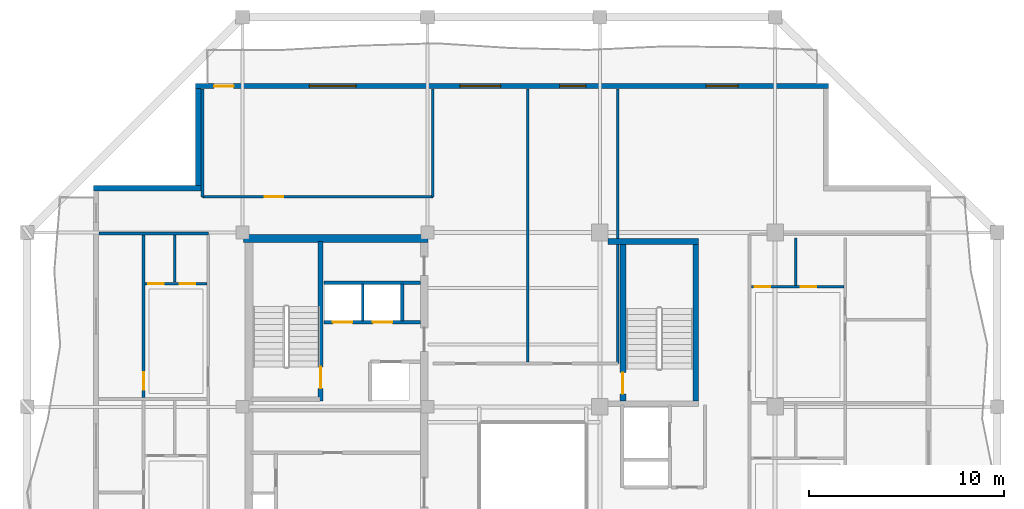
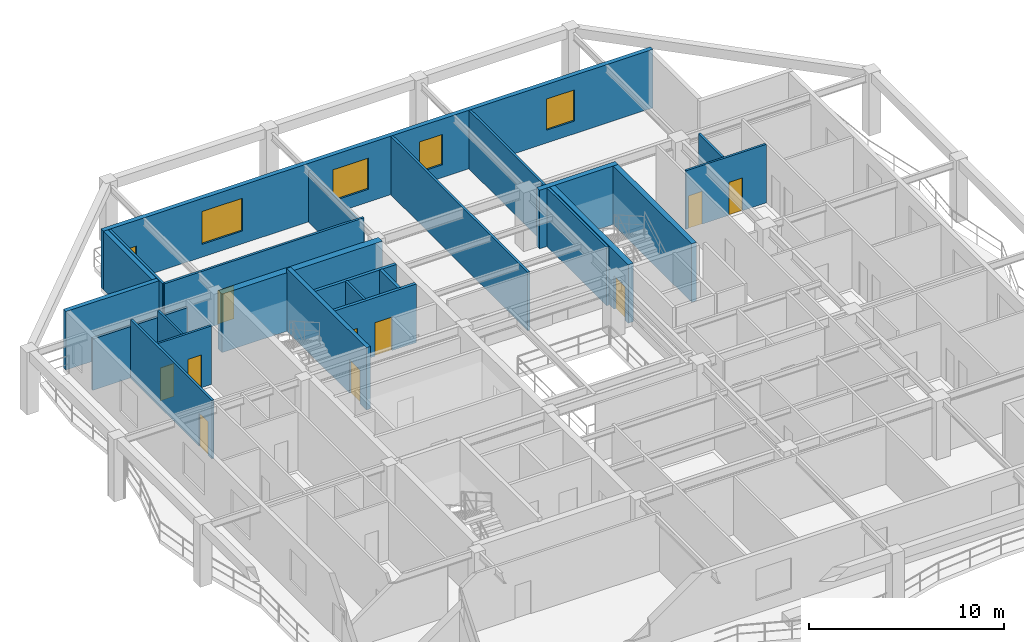
# One storey, part 6 of 12: 23 walls, 11 doors, 4 windows, 15 openings.
"""IFC4 building model written with IfcOpenShell, lengths in metres."""

from ifc_helpers import new_model, si_unit, direction, frame, frame_2d, origin, place, context, subcontext, project, spatial, rectangle, extrude, material, layer, layer_set, type_object, element, fill, save


model = new_model("IFC4")

# Units and contexts
model_context = context("Model", 3, precision=1e-05, world=origin(), true_north=direction((0.0, 1.0)))
body_context = subcontext(model_context, "Body", "Model", "MODEL_VIEW")
ifc_project = project(units=[si_unit("LENGTHUNIT", "METRE"), si_unit("AREAUNIT", "SQUARE_METRE"), si_unit("VOLUMEUNIT", "CUBIC_METRE"), si_unit("PLANEANGLEUNIT", "RADIAN"), si_unit("MASSUNIT", "GRAM", prefix="KILO")], contexts=[model_context])

# Site, building, storey
site_placement = place(None, origin())
site = spatial("IfcSite", under=ifc_project, at=site_placement, CompositionType="ELEMENT")
building_placement = place(site_placement, origin())
building = spatial("IfcBuilding", under=site, at=building_placement, Name="Kundavana Baori Tower", CompositionType="ELEMENT")
storey_placement = place(building_placement, frame((0.0, 0.0, 233.60009765625)))
storey = spatial("IfcBuildingStorey", under=building, at=storey_placement, Name="L57", CompositionType="ELEMENT", Elevation=233.60009765625)

# Wall
ifc_material_1 = material(Name="Concrete C50/60", Category="concrete")
ifc_layer_1 = layer(ifc_material_1, 0.39990234375, Name="WL-CORE-400")
ifc_layer_set_1 = layer_set([ifc_layer_1], Name="Concrete C50/60")
wall_type_1 = type_object("IfcWallType", Name="WL-CORE-400", PredefinedType="SHEAR", material=ifc_layer_set_1)
wall_1_placement = place(storey_placement, frame((15.5, 41.639892578125, 0.0), z_axis=(0.0, 0.0, 1.0), x_axis=(1.0, 0.0, 0.0)))
element("IfcWall", 1, at=wall_1_placement, inside=storey, type_object=wall_type_1, Name="L57 Offset Core North Shear Wall", PredefinedType="SHEAR", context=body_context, shape_type="SweptSolid", body=[
    extrude(rectangle(XDim=9.47998046875, YDim=0.39990234375, at=frame_2d((4.739990234375, 0.0))), origin(), (0.0, 0.0, 1.0), 3.659912109375),
])

# Wall, opening, door
wall_2_placement = place(storey_placement, frame((19.4599609375, 33.300048828125, 0.0), z_axis=(0.0, 0.0, 1.0), x_axis=(0.0, 1.0, 0.0)))
wall_2 = element("IfcWall", 2, at=wall_2_placement, inside=storey, type_object=wall_type_1, Name="WL-L57-ST2-E", PredefinedType="SHEAR", context=body_context, shape_type="SweptSolid", body=[
    extrude(rectangle(XDim=8.179931640625, YDim=0.239990234375, at=frame_2d((4.08984375, 0.0))), origin(), (0.0, 0.0, 1.0), 3.89990234375),
])
opening_1_placement = place(wall_2_placement, frame((0.64990234375, 0.0, 0.0)))
opening_1 = element("IfcOpeningElement", 3, at=opening_1_placement, cuts=wall_2, Name="Opening FD-110", PredefinedType="OPENING", context=body_context, shape_type="SweptSolid", body=[
    extrude(rectangle(XDim=1.10009765625, YDim=2.10009765625, at=frame_2d((0.550048828125, 1.050048828125))), frame((0.0, 0.1298828125, 0.0), z_axis=(0.0, -1.0, 0.0), x_axis=(1.0, 0.0, 0.0)), (0.0, 0.0, 1.0), 0.260009765625),
])
ifc_material_2 = material(Name="Galvanised Steel Fire-Rated Door Leaf", Category="steel")
door_type_1 = type_object("IfcDoorType", Name="DR-FD120-1100", OperationType="NOTDEFINED", PredefinedType="DOOR", material=ifc_material_2)
door_1_placement = place(opening_1_placement, origin())
door_1 = element("IfcDoor", 4, at=door_1_placement, inside=storey, type_object=door_type_1, Name="DR-L57-ST2", OperationType="SINGLE_SWING_RIGHT", OverallHeight=2.10009765625, OverallWidth=1.10009765625, PredefinedType="DOOR", context=body_context, shape_type="SweptSolid", body=[
    extrude(rectangle(XDim=1.10009765625, YDim=2.10009765625, at=frame_2d((0.550048828125, 1.050048828125))), frame((0.0, 0.02490234375, 0.0), z_axis=(0.0, -1.0, 0.0), x_axis=(1.0, 0.0, 0.0)), (0.0, 0.0, 1.0), 0.050048828125),
])
fill(opening_1, door_1)

# Wall, openings, door, windows
ifc_material_3 = material(Name="Kiln-Fired Terracotta Brick-Slip Masonry on Concrete C40/50", Category="masonry")
ifc_layer_2 = layer(ifc_material_3, 0.260009765625, Name="WL-EXT-BRK-260")
ifc_layer_set_2 = layer_set([ifc_layer_2], Name="Kiln-Fired Terracotta Brick-Slip Masonry on Concrete C40/50")
wall_type_2 = type_object("IfcWallType", Name="WL-EXT-BRK-260", PredefinedType="SOLIDWALL", material=ifc_layer_set_2)
wall_3_placement = place(storey_placement, frame((45.550048828125, 49.469970703125, 0.0), z_axis=(0.0, 0.0, 1.0), x_axis=(-1.0, 0.0, 0.0)))
wall_3 = element("IfcWall", 5, at=wall_3_placement, inside=storey, type_object=wall_type_2, Name="L57 Exterior Insulated Facade Wall 07", PredefinedType="SOLIDWALL", context=body_context, shape_type="SweptSolid", body=[
    extrude(rectangle(XDim=32.5, YDim=0.260009765625, at=frame_2d((16.25, 0.0))), origin(), (0.0, 0.0, 1.0), 3.659912109375),
])
opening_2_placement = place(wall_3_placement, frame((30.550048828125, 0.0, 0.0)))
opening_2 = element("IfcOpeningElement", 6, at=opening_2_placement, cuts=wall_3, Name="Opening BD-1", PredefinedType="OPENING", context=body_context, shape_type="SweptSolid", body=[
    extrude(rectangle(XDim=1.0, YDim=2.050048828125, at=frame_2d((0.5, 1.02490234375))), frame((0.0, 0.14013671875, 0.0), z_axis=(0.0, -1.0, 0.0), x_axis=(1.0, 0.0, 0.0)), (0.0, 0.0, 1.0), 0.280029296875),
])
opening_3_placement = place(wall_3_placement, frame((24.264892578125, 0.0, 0.800048828125)))
opening_3 = element("IfcOpeningElement", 7, at=opening_3_placement, cuts=wall_3, Name="Opening W-04", PredefinedType="OPENING", context=body_context, shape_type="SweptSolid", body=[
    extrude(rectangle(XDim=2.39990234375, YDim=2.050048828125, at=frame_2d((1.199951171875, 1.02490234375))), frame((0.0, 0.14013671875, 0.0), z_axis=(0.0, -1.0, 0.0), x_axis=(1.0, 0.0, 0.0)), (0.0, 0.0, 1.0), 0.280029296875),
])
opening_4_placement = place(wall_3_placement, frame((16.840087890625, 0.0, 0.800048828125)))
opening_4 = element("IfcOpeningElement", 8, at=opening_4_placement, cuts=wall_3, Name="Opening W-05", PredefinedType="OPENING", context=body_context, shape_type="SweptSolid", body=[
    extrude(rectangle(XDim=2.10009765625, YDim=1.949951171875, at=frame_2d((1.050048828125, 0.97509765625))), frame((0.0, 0.14013671875, 0.0), z_axis=(0.0, -1.0, 0.0), x_axis=(1.0, 0.0, 0.0)), (0.0, 0.0, 1.0), 0.280029296875),
])
opening_5_placement = place(wall_3_placement, frame((12.465087890625, 0.0, 0.800048828125)))
opening_5 = element("IfcOpeningElement", 9, at=opening_5_placement, cuts=wall_3, Name="Opening W-07", PredefinedType="OPENING", context=body_context, shape_type="SweptSolid", body=[
    extrude(rectangle(XDim=1.35009765625, YDim=1.89990234375, at=frame_2d((0.675048828125, 0.949951171875))), frame((0.0, 0.14013671875, 0.0), z_axis=(0.0, -1.0, 0.0), x_axis=(1.0, 0.0, 0.0)), (0.0, 0.0, 1.0), 0.280029296875),
])
opening_6_placement = place(wall_3_placement, frame((4.64501953125, 0.0, 0.800048828125)))
opening_6 = element("IfcOpeningElement", 10, at=opening_6_placement, cuts=wall_3, Name="Opening W-08", PredefinedType="OPENING", context=body_context, shape_type="SweptSolid", body=[
    extrude(rectangle(XDim=1.64990234375, YDim=1.949951171875, at=frame_2d((0.824951171875, 0.97509765625))), frame((0.0, 0.14013671875, 0.0), z_axis=(0.0, -1.0, 0.0), x_axis=(1.0, 0.0, 0.0)), (0.0, 0.0, 1.0), 0.280029296875),
])
ifc_material_4 = material(Name="Architectural Patinated Bronze Metalwork")
door_type_2 = type_object("IfcDoorType", Name="DR-EXT-LOG-1000", OperationType="NOTDEFINED", PredefinedType="DOOR", material=ifc_material_4)
door_2_placement = place(opening_2_placement, frame((1.0, 0.0, 0.0), z_axis=(0.0, 0.0, 1.0), x_axis=(-1.0, 0.0, 0.0)))
door_2 = element("IfcDoor", 11, at=door_2_placement, inside=storey, type_object=door_type_2, Name="L57 Loggia Balcony Access Door N", OperationType="SINGLE_SWING_LEFT", OverallHeight=2.050048828125, OverallWidth=1.0, PredefinedType="DOOR", context=body_context, shape_type="SweptSolid", body=[
    extrude(rectangle(XDim=1.0, YDim=2.050048828125, at=frame_2d((0.5, 1.02490234375))), frame((0.0, 0.02490234375, 0.0), z_axis=(0.0, -1.0, 0.0), x_axis=(1.0, 0.0, 0.0)), (0.0, 0.0, 1.0), 0.050048828125),
])
fill(opening_2, door_2)
ifc_material_5 = material(Name="Double-Glazed Solar-Control Low-E Insulated Glass", Category="glass")
window_type_1 = type_object("IfcWindowType", Name="WIN-LOG-1350x1900", PartitioningType="SINGLE_PANEL", PredefinedType="WINDOW", material=ifc_material_5)
window_1_placement = place(opening_5_placement, origin())
window_1 = element("IfcWindow", 12, at=window_1_placement, inside=storey, type_object=window_type_1, Name="L57 Recessed Loggia Window N-3", OverallHeight=1.89990234375, OverallWidth=1.35009765625, PartitioningType="SINGLE_PANEL", PredefinedType="WINDOW", context=body_context, shape_type="SweptSolid", body=[
    extrude(rectangle(XDim=1.35009765625, YDim=1.89990234375, at=frame_2d((0.675048828125, 0.949951171875))), frame((0.0, 0.030029296875, 0.0), z_axis=(0.0, -1.0, 0.0), x_axis=(1.0, 0.0, 0.0)), (0.0, 0.0, 1.0), 0.06005859375),
])
fill(opening_5, window_1)
ifc_material_6 = material(Name="Double-Glazed Solar-Control Low-E Insulated Glass", Category="glass")
window_type_2 = type_object("IfcWindowType", Name="WIN-LOG-1650x1950", PartitioningType="SINGLE_PANEL", PredefinedType="WINDOW", material=ifc_material_6)
window_2_placement = place(opening_6_placement, origin())
window_2 = element("IfcWindow", 13, at=window_2_placement, inside=storey, type_object=window_type_2, Name="L57 Recessed Loggia Window N-4", OverallHeight=1.949951171875, OverallWidth=1.64990234375, PartitioningType="SINGLE_PANEL", PredefinedType="WINDOW", context=body_context, shape_type="SweptSolid", body=[
    extrude(rectangle(XDim=1.64990234375, YDim=1.949951171875, at=frame_2d((0.824951171875, 0.97509765625))), frame((0.0, 0.030029296875, 0.0), z_axis=(0.0, -1.0, 0.0), x_axis=(1.0, 0.0, 0.0)), (0.0, 0.0, 1.0), 0.06005859375),
])
fill(opening_6, window_2)
ifc_material_7 = material(Name="Double-Glazed Solar-Control Low-E Insulated Glass", Category="glass")
window_type_3 = type_object("IfcWindowType", Name="WIN-LOG-2100x1950", PartitioningType="SINGLE_PANEL", PredefinedType="WINDOW", material=ifc_material_7)
window_3_placement = place(opening_4_placement, origin())
window_3 = element("IfcWindow", 14, at=window_3_placement, inside=storey, type_object=window_type_3, Name="L57 Recessed Loggia Window N-2", OverallHeight=1.949951171875, OverallWidth=2.10009765625, PartitioningType="SINGLE_PANEL", PredefinedType="WINDOW", context=body_context, shape_type="SweptSolid", body=[
    extrude(rectangle(XDim=2.10009765625, YDim=1.949951171875, at=frame_2d((1.050048828125, 0.97509765625))), frame((0.0, 0.030029296875, 0.0), z_axis=(0.0, -1.0, 0.0), x_axis=(1.0, 0.0, 0.0)), (0.0, 0.0, 1.0), 0.06005859375),
])
fill(opening_4, window_3)
ifc_material_8 = material(Name="Double-Glazed Solar-Control Low-E Insulated Glass", Category="glass")
window_type_4 = type_object("IfcWindowType", Name="WIN-LOG-2400x2050", PartitioningType="SINGLE_PANEL", PredefinedType="WINDOW", material=ifc_material_8)
window_4_placement = place(opening_3_placement, origin())
window_4 = element("IfcWindow", 15, at=window_4_placement, inside=storey, type_object=window_type_4, Name="L57 Recessed Loggia Window N-1", OverallHeight=2.050048828125, OverallWidth=2.39990234375, PartitioningType="SINGLE_PANEL", PredefinedType="WINDOW", context=body_context, shape_type="SweptSolid", body=[
    extrude(rectangle(XDim=2.39990234375, YDim=2.050048828125, at=frame_2d((1.199951171875, 1.02490234375))), frame((0.0, 0.030029296875, 0.0), z_axis=(0.0, -1.0, 0.0), x_axis=(1.0, 0.0, 0.0)), (0.0, 0.0, 1.0), 0.06005859375),
])
fill(opening_3, window_4)

# Walls
wall_4_placement = place(storey_placement, frame((13.179931640625, 49.340087890625, 0.0), z_axis=(0.0, 0.0, 1.0), x_axis=(0.0, -1.0, 0.0)))
element("IfcWall", 16, at=wall_4_placement, inside=storey, type_object=wall_type_2, Name="L57 Exterior Insulated Facade Wall 08", PredefinedType="SOLIDWALL", context=body_context, shape_type="SweptSolid", body=[
    extrude(rectangle(XDim=4.989990234375, YDim=0.260009765625, at=frame_2d((2.4951171875, 0.0))), origin(), (0.0, 0.0, 1.0), 3.659912109375),
])
wall_5_placement = place(storey_placement, frame((13.31005859375, 44.219970703125, 0.0), z_axis=(0.0, 0.0, 1.0), x_axis=(-1.0, 0.0, 0.0)))
element("IfcWall", 17, at=wall_5_placement, inside=storey, type_object=wall_type_2, Name="L57 Exterior Insulated Facade Wall 09", PredefinedType="SOLIDWALL", context=body_context, shape_type="SweptSolid", body=[
    extrude(rectangle(XDim=5.510009765625, YDim=0.260009765625, at=frame_2d((2.7548828125, 0.0))), origin(), (0.0, 0.0, 1.0), 3.659912109375),
])
ifc_material_9 = material(Name="Acoustic Gypsum Plasterboard on Galvanised Steel Studs", Category="steel")
ifc_layer_3 = layer(ifc_material_9, 0.1201171875, Name="WL-PART-120")
ifc_layer_set_3 = layer_set([ifc_layer_3], Name="Acoustic Gypsum Plasterboard on Galvanised Steel Studs")
wall_type_3 = type_object("IfcWallType", Name="WL-PART-120", PredefinedType="PARTITIONING", material=ifc_layer_set_3)
wall_6_placement = place(storey_placement, frame((21.6201171875, 37.39990234375, 0.0), z_axis=(0.0, 0.0, 1.0), x_axis=(0.0, 1.0, 0.0)))
element("IfcWall", 18, at=wall_6_placement, inside=storey, type_object=wall_type_3, Name="WL-L57-HR-DIV1", PredefinedType="PARTITIONING", context=body_context, shape_type="SweptSolid", body=[
    extrude(rectangle(XDim=1.900146484375, YDim=0.1201171875, at=frame_2d((0.9501953125, 0.0))), origin(), (0.0, 0.0, 1.0), 3.659912109375),
])

# Wall, opening, door
ifc_material_10 = material(Name="Acoustic Gypsum Plasterboard on Galvanised Steel Studs", Category="steel")
ifc_layer_4 = layer(ifc_material_10, 0.135009765625, Name="WL-PART-135")
ifc_layer_set_4 = layer_set([ifc_layer_4], Name="Acoustic Gypsum Plasterboard on Galvanised Steel Studs")
wall_type_4 = type_object("IfcWallType", Name="WL-PART-135", PredefinedType="PARTITIONING", material=ifc_layer_set_4)
wall_7_placement = place(storey_placement, frame((13.39990234375, 43.780029296875, 0.0), z_axis=(0.0, 0.0, 1.0), x_axis=(1.0, 0.0, 0.0)))
wall_7 = element("IfcWall", 19, at=wall_7_placement, inside=storey, type_object=wall_type_4, Name="WL-L57-RNC", PredefinedType="PARTITIONING", context=body_context, shape_type="SweptSolid", body=[
    extrude(rectangle(XDim=11.820068359375, YDim=0.135009765625, at=frame_2d((5.91015625, 0.0))), origin(), (0.0, 0.0, 1.0), 3.659912109375),
])
opening_7_placement = place(wall_7_placement, frame((3.199951171875, 0.0, 0.0)))
opening_7 = element("IfcOpeningElement", 20, at=opening_7_placement, cuts=wall_7, Name="Opening ID-095", PredefinedType="OPENING", context=body_context, shape_type="SweptSolid", body=[
    extrude(rectangle(XDim=0.949951171875, YDim=2.080078125, at=frame_2d((0.47509765625, 1.0400390625))), frame((0.0, 0.07763671875, 0.0), z_axis=(0.0, -1.0, 0.0), x_axis=(1.0, 0.0, 0.0)), (0.0, 0.0, 1.0), 0.155029296875),
])
ifc_material_11 = material(Name="Engineered Teak Solid-Core Timber Veneer", Category="wood")
door_type_3 = type_object("IfcDoorType", Name="DR-INT-950", OperationType="NOTDEFINED", PredefinedType="DOOR", material=ifc_material_11)
door_3_placement = place(opening_7_placement, origin())
door_3 = element("IfcDoor", 21, at=door_3_placement, inside=storey, type_object=door_type_3, Name="DR-L57-RMNW", OperationType="SINGLE_SWING_RIGHT", OverallHeight=2.080078125, OverallWidth=0.949951171875, PredefinedType="DOOR", context=body_context, shape_type="SweptSolid", body=[
    extrude(rectangle(XDim=0.949951171875, YDim=2.080078125, at=frame_2d((0.47509765625, 1.0400390625))), frame((0.0, 0.02490234375, 0.0), z_axis=(0.0, -1.0, 0.0), x_axis=(1.0, 0.0, 0.0)), (0.0, 0.0, 1.0), 0.050048828125),
])
fill(opening_7, door_3)

# Walls
wall_8_placement = place(storey_placement, frame((13.39990234375, 43.780029296875, 0.0), z_axis=(0.0, 0.0, 1.0), x_axis=(0.0, 1.0, 0.0)))
element("IfcWall", 22, at=wall_8_placement, inside=storey, type_object=wall_type_4, Name="WL-L57-RNCW", PredefinedType="PARTITIONING", context=body_context, shape_type="SweptSolid", body=[
    extrude(rectangle(XDim=5.5400390625, YDim=0.135009765625, at=frame_2d((2.77001953125, 0.0))), origin(), (0.0, 0.0, 1.0), 3.659912109375),
])
wall_9_placement = place(storey_placement, frame((25.219970703125, 43.780029296875, 0.0), z_axis=(0.0, 0.0, 1.0), x_axis=(0.0, 1.0, 0.0)))
element("IfcWall", 23, at=wall_9_placement, inside=storey, type_object=wall_type_4, Name="WL-L57-RNCE", PredefinedType="PARTITIONING", context=body_context, shape_type="SweptSolid", body=[
    extrude(rectangle(XDim=5.5400390625, YDim=0.135009765625, at=frame_2d((2.77001953125, 0.0))), origin(), (0.0, 0.0, 1.0), 3.2099609375),
])
wall_10_placement = place(storey_placement, frame((8.080078125, 41.89990234375, 0.0), z_axis=(0.0, 0.0, 1.0), x_axis=(1.0, 0.0, 0.0)))
element("IfcWall", 24, at=wall_10_placement, inside=storey, type_object=wall_type_4, Name="WL-L57-RWN", PredefinedType="PARTITIONING", context=body_context, shape_type="SweptSolid", body=[
    extrude(rectangle(XDim=5.619873046875, YDim=0.135009765625, at=frame_2d((2.81005859375, 0.0))), origin(), (0.0, 0.0, 1.0), 3.2099609375),
])

# Wall, opening, door
wall_11_placement = place(storey_placement, frame((10.3701171875, 33.47998046875, 0.0), z_axis=(0.0, 0.0, 1.0), x_axis=(0.0, 1.0, 0.0)))
wall_11 = element("IfcWall", 25, at=wall_11_placement, inside=storey, type_object=wall_type_4, Name="WL-L57-W3-VT", PredefinedType="PARTITIONING", context=body_context, shape_type="SweptSolid", body=[
    extrude(rectangle(XDim=8.340087890625, YDim=0.135009765625, at=frame_2d((4.169921875, 0.0))), origin(), (0.0, 0.0, 1.0), 3.659912109375),
])
opening_8_placement = place(wall_11_placement, frame((0.39990234375, 0.0, 0.0)))
opening_8 = element("IfcOpeningElement", 26, at=opening_8_placement, cuts=wall_11, Name="Opening ID-090", PredefinedType="OPENING", context=body_context, shape_type="SweptSolid", body=[
    extrude(rectangle(XDim=0.89990234375, YDim=2.080078125, at=frame_2d((0.449951171875, 1.0400390625))), frame((0.0, 0.07763671875, 0.0), z_axis=(0.0, -1.0, 0.0), x_axis=(1.0, 0.0, 0.0)), (0.0, 0.0, 1.0), 0.155029296875),
])
ifc_material_12 = material(Name="Engineered Teak Solid-Core Timber Veneer", Category="wood")
door_type_4 = type_object("IfcDoorType", Name="DR-INT-900", OperationType="NOTDEFINED", PredefinedType="DOOR", material=ifc_material_12)
door_4_placement = place(opening_8_placement, frame((0.89990234375, 0.0, 0.0), z_axis=(0.0, 0.0, 1.0), x_axis=(-1.0, 0.0, 0.0)))
door_4 = element("IfcDoor", 27, at=door_4_placement, inside=storey, type_object=door_type_4, Name="DR-L57-W3-B1", OperationType="SINGLE_SWING_LEFT", OverallHeight=2.080078125, OverallWidth=0.89990234375, PredefinedType="DOOR", context=body_context, shape_type="SweptSolid", body=[
    extrude(rectangle(XDim=0.89990234375, YDim=2.080078125, at=frame_2d((0.449951171875, 1.0400390625))), frame((0.0, 0.02490234375, 0.0), z_axis=(0.0, -1.0, 0.0), x_axis=(1.0, 0.0, 0.0)), (0.0, 0.0, 1.0), 0.050048828125),
])
fill(opening_8, door_4)

# Walls
wall_12_placement = place(storey_placement, frame((34.719970703125, 35.219970703125, 0.0), z_axis=(0.0, 0.0, 1.0), x_axis=(0.0, 1.0, 0.0)))
element("IfcWall", 28, at=wall_12_placement, inside=storey, type_object=wall_type_4, Name="WL-L57-RNEND", PredefinedType="PARTITIONING", context=body_context, shape_type="SweptSolid", body=[
    extrude(rectangle(XDim=14.10009765625, YDim=0.135009765625, at=frame_2d((7.050048828125, 0.0))), origin(), (0.0, 0.0, 1.0), 3.659912109375),
])
wall_13_placement = place(storey_placement, frame((30.10009765625, 35.300048828125, 0.0), z_axis=(0.0, 0.0, 1.0), x_axis=(0.0, 1.0, 0.0)))
element("IfcWall", 29, at=wall_13_placement, inside=storey, type_object=wall_type_4, Name="WL-L57-RND1", PredefinedType="PARTITIONING", context=body_context, shape_type="SweptSolid", body=[
    extrude(rectangle(XDim=14.02001953125, YDim=0.135009765625, at=frame_2d((7.010009765625, 0.0))), origin(), (0.0, 0.0, 1.0), 3.659912109375),
])

# Wall, openings, doors
ifc_material_13 = material(Name="Autoclaved Aerated Concrete Blockwork Masonry", Category="masonry")
ifc_layer_5 = layer(ifc_material_13, 0.179931640625, Name="WL-SHAFT-180")
ifc_layer_set_5 = layer_set([ifc_layer_5], Name="Autoclaved Aerated Concrete Blockwork Masonry")
wall_type_5 = type_object("IfcWallType", Name="WL-SHAFT-180", PredefinedType="SOLIDWALL", material=ifc_layer_set_5)
wall_14_placement = place(storey_placement, frame((19.639892578125, 37.340087890625, 0.0), z_axis=(0.0, 0.0, 1.0), x_axis=(1.0, 0.0, 0.0)))
wall_14 = element("IfcWall", 30, at=wall_14_placement, inside=storey, type_object=wall_type_5, Name="WL-L57-HRLOB-N", PredefinedType="SOLIDWALL", context=body_context, shape_type="SweptSolid", body=[
    extrude(rectangle(XDim=4.940185546875, YDim=0.179931640625, at=frame_2d((2.47021484375, 0.0))), origin(), (0.0, 0.0, 1.0), 3.659912109375),
])
opening_9_placement = place(wall_14_placement, frame((0.449951171875, 0.0, 0.0)))
opening_9 = element("IfcOpeningElement", 31, at=opening_9_placement, cuts=wall_14, Name="Opening LD-100", PredefinedType="OPENING", context=body_context, shape_type="SweptSolid", body=[
    extrude(rectangle(XDim=1.0, YDim=2.10009765625, at=frame_2d((0.5, 1.050048828125))), frame((0.0, 0.10009765625, 0.0), z_axis=(0.0, -1.0, 0.0), x_axis=(1.0, 0.0, 0.0)), (0.0, 0.0, 1.0), 0.199951171875),
])
opening_10_placement = place(wall_14_placement, frame((2.5, 0.0, 0.0)))
opening_10 = element("IfcOpeningElement", 32, at=opening_10_placement, cuts=wall_14, Name="Opening LD-100", PredefinedType="OPENING", context=body_context, shape_type="SweptSolid", body=[
    extrude(rectangle(XDim=1.0, YDim=2.10009765625, at=frame_2d((0.5, 1.050048828125))), frame((0.0, 0.10009765625, 0.0), z_axis=(0.0, -1.0, 0.0), x_axis=(1.0, 0.0, 0.0)), (0.0, 0.0, 1.0), 0.199951171875),
])
ifc_material_14 = material(Name="Galvanised Steel Fire-Rated Door Leaf", Category="steel")
door_type_5 = type_object("IfcDoorType", Name="DR-SLIDE-LD1000", OperationType="NOTDEFINED", PredefinedType="DOOR", material=ifc_material_14)
door_5_placement = place(opening_9_placement, frame((1.0, 0.0, 0.0), z_axis=(0.0, 0.0, 1.0), x_axis=(-1.0, 0.0, 0.0)))
door_5 = element("IfcDoor", 33, at=door_5_placement, inside=storey, type_object=door_type_5, Name="DR-L57-LD-LP09", OperationType="DOUBLE_DOOR_SLIDING", OverallHeight=2.10009765625, OverallWidth=1.0, PredefinedType="DOOR", context=body_context, shape_type="SweptSolid", body=[
    extrude(rectangle(XDim=1.0, YDim=2.10009765625, at=frame_2d((0.5, 1.050048828125))), frame((0.0, 0.02490234375, 0.0), z_axis=(0.0, -1.0, 0.0), x_axis=(1.0, 0.0, 0.0)), (0.0, 0.0, 1.0), 0.050048828125),
])
fill(opening_9, door_5)
door_6_placement = place(opening_10_placement, frame((1.0, 0.0, 0.0), z_axis=(0.0, 0.0, 1.0), x_axis=(-1.0, 0.0, 0.0)))
door_6 = element("IfcDoor", 34, at=door_6_placement, inside=storey, type_object=door_type_5, Name="DR-L57-LD-LP10", OperationType="DOUBLE_DOOR_SLIDING", OverallHeight=2.10009765625, OverallWidth=1.0, PredefinedType="DOOR", context=body_context, shape_type="SweptSolid", body=[
    extrude(rectangle(XDim=1.0, YDim=2.10009765625, at=frame_2d((0.5, 1.050048828125))), frame((0.0, 0.02490234375, 0.0), z_axis=(0.0, -1.0, 0.0), x_axis=(1.0, 0.0, 0.0)), (0.0, 0.0, 1.0), 0.050048828125),
])
fill(opening_10, door_6)

# Walls
wall_15_placement = place(storey_placement, frame((19.639892578125, 39.360107421875, 0.0), z_axis=(0.0, 0.0, 1.0), x_axis=(1.0, 0.0, 0.0)))
element("IfcWall", 35, at=wall_15_placement, inside=storey, type_object=wall_type_5, Name="WL-L57-HRLOB-TOP", PredefinedType="SOLIDWALL", context=body_context, shape_type="SweptSolid", body=[
    extrude(rectangle(XDim=4.940185546875, YDim=0.179931640625, at=frame_2d((2.47021484375, 0.0))), origin(), (0.0, 0.0, 1.0), 3.659912109375),
])
wall_16_placement = place(storey_placement, frame((23.659912109375, 37.39990234375, 0.0), z_axis=(0.0, 0.0, 1.0), x_axis=(0.0, 1.0, 0.0)))
element("IfcWall", 36, at=wall_16_placement, inside=storey, type_object=wall_type_5, Name="WL-L57-HR-DIV2", PredefinedType="SOLIDWALL", context=body_context, shape_type="SweptSolid", body=[
    extrude(rectangle(XDim=1.900146484375, YDim=0.179931640625, at=frame_2d((0.9501953125, 0.0))), origin(), (0.0, 0.0, 1.0), 3.659912109375),
])
ifc_material_15 = material(Name="Concrete C50/60", Category="concrete")
ifc_layer_6 = layer(ifc_material_15, 0.300048828125, Name="WL-ST3-300")
ifc_layer_set_6 = layer_set([ifc_layer_6], Name="Concrete C50/60")
wall_type_6 = type_object("IfcWallType", Name="WL-ST3-300", PredefinedType="SHEAR", material=ifc_layer_set_6)
wall_17_placement = place(storey_placement, frame((34.22509765625, 41.489990234375, 0.0), z_axis=(0.0, 0.0, 1.0), x_axis=(1.0, 0.0, 0.0)))
element("IfcWall", 37, at=wall_17_placement, inside=storey, type_object=wall_type_6, Name="L57 Stair ST3 North Shear Wall", PredefinedType="SHEAR", context=body_context, shape_type="SweptSolid", body=[
    extrude(rectangle(XDim=4.64501953125, YDim=0.300048828125, at=frame_2d((2.322509765625, 0.0))), origin(), (0.0, 0.0, 1.0), 3.659912109375),
])

# Wall, opening, door
wall_18_placement = place(storey_placement, frame((34.97998046875, 33.31005859375, 0.0), z_axis=(0.0, 0.0, 1.0), x_axis=(0.0, 1.0, 0.0)))
wall_18 = element("IfcWall", 38, at=wall_18_placement, inside=storey, type_object=wall_type_6, Name="L57 Stair ST3 West Shear Wall", PredefinedType="SHEAR", context=body_context, shape_type="SweptSolid", body=[
    extrude(rectangle(XDim=8.030029296875, YDim=0.300048828125, at=frame_2d((4.01513671875, 0.0))), origin(), (0.0, 0.0, 1.0), 3.659912109375),
])
opening_11_placement = place(wall_18_placement, frame((0.35009765625, 0.0, 0.0)))
opening_11 = element("IfcOpeningElement", 39, at=opening_11_placement, cuts=wall_18, Name="Opening FD-110", PredefinedType="OPENING", context=body_context, shape_type="SweptSolid", body=[
    extrude(rectangle(XDim=1.10009765625, YDim=2.10009765625, at=frame_2d((0.550048828125, 1.050048828125))), frame((0.0, 0.16015625, 0.0), z_axis=(0.0, -1.0, 0.0), x_axis=(1.0, 0.0, 0.0)), (0.0, 0.0, 1.0), 0.320068359375),
])
door_7_placement = place(opening_11_placement, origin())
door_7 = element("IfcDoor", 40, at=door_7_placement, inside=storey, type_object=door_type_1, Name="DR-L57-ST3-W", OperationType="SINGLE_SWING_LEFT", OverallHeight=2.10009765625, OverallWidth=1.10009765625, PredefinedType="DOOR", context=body_context, shape_type="SweptSolid", body=[
    extrude(rectangle(XDim=1.10009765625, YDim=2.10009765625, at=frame_2d((0.550048828125, 1.050048828125))), frame((0.0, 0.02490234375, 0.0), z_axis=(0.0, -1.0, 0.0), x_axis=(1.0, 0.0, 0.0)), (0.0, 0.0, 1.0), 0.050048828125),
])
fill(opening_11, door_7)

# Wall
wall_19_placement = place(storey_placement, frame((38.719970703125, 33.31005859375, 0.0), z_axis=(0.0, 0.0, 1.0), x_axis=(0.0, 1.0, 0.0)))
element("IfcWall", 41, at=wall_19_placement, inside=storey, type_object=wall_type_6, Name="L57 Stair ST3 East Shear Wall", PredefinedType="SHEAR", context=body_context, shape_type="SweptSolid", body=[
    extrude(rectangle(XDim=8.030029296875, YDim=0.300048828125, at=frame_2d((4.01513671875, 0.0))), origin(), (0.0, 0.0, 1.0), 3.659912109375),
])

# Wall, openings, doors
ifc_material_16 = material(Name="Autoclaved Aerated Concrete Blockwork Masonry", Category="masonry")
ifc_layer_7 = layer(ifc_material_16, 0.125, Name="WL-WET-120")
ifc_layer_set_7 = layer_set([ifc_layer_7], Name="Autoclaved Aerated Concrete Blockwork Masonry")
wall_type_7 = type_object("IfcWallType", Name="WL-WET-120", PredefinedType="PLUMBINGWALL", material=ifc_layer_set_7)
wall_20_placement = place(storey_placement, frame((10.449951171875, 39.318115234375, 0.0), z_axis=(0.0, 0.0, 1.0), x_axis=(1.0, 0.0, 0.0)))
wall_20 = element("IfcWall", 42, at=wall_20_placement, inside=storey, type_object=wall_type_7, Name="WL-L57-W3-KH", PredefinedType="PLUMBINGWALL", context=body_context, shape_type="SweptSolid", body=[
    extrude(rectangle(XDim=3.170166015625, YDim=0.125, at=frame_2d((1.5849609375, 0.0))), origin(), (0.0, 0.0, 1.0), 3.659912109375),
])
opening_12_placement = place(wall_20_placement, frame((0.159912109375, 0.0, 0.0)))
opening_12 = element("IfcOpeningElement", 43, at=opening_12_placement, cuts=wall_20, Name="Opening WD-080", PredefinedType="OPENING", context=body_context, shape_type="SweptSolid", body=[
    extrude(rectangle(XDim=0.800048828125, YDim=2.050048828125, at=frame_2d((0.39990234375, 1.02490234375))), frame((0.0, 0.072509765625, 0.0), z_axis=(0.0, -1.0, 0.0), x_axis=(1.0, 0.0, 0.0)), (0.0, 0.0, 1.0), 0.14501953125),
])
opening_13_placement = place(wall_20_placement, frame((1.781982421875, 0.0, 0.0)))
opening_13 = element("IfcOpeningElement", 44, at=opening_13_placement, cuts=wall_20, Name="Opening WD-080", PredefinedType="OPENING", context=body_context, shape_type="SweptSolid", body=[
    extrude(rectangle(XDim=0.800048828125, YDim=2.050048828125, at=frame_2d((0.39990234375, 1.02490234375))), frame((0.0, 0.072509765625, 0.0), z_axis=(0.0, -1.0, 0.0), x_axis=(1.0, 0.0, 0.0)), (0.0, 0.0, 1.0), 0.14501953125),
])
ifc_material_17 = material(Name="Engineered Teak Solid-Core Timber Veneer", Category="wood")
door_type_6 = type_object("IfcDoorType", Name="DR-WET-800", OperationType="NOTDEFINED", PredefinedType="DOOR", material=ifc_material_17)
door_8_placement = place(opening_12_placement, origin())
door_8 = element("IfcDoor", 45, at=door_8_placement, inside=storey, type_object=door_type_6, Name="DR-L57-W3-BT", OperationType="SINGLE_SWING_LEFT", OverallHeight=2.050048828125, OverallWidth=0.800048828125, PredefinedType="DOOR", context=body_context, shape_type="SweptSolid", body=[
    extrude(rectangle(XDim=0.800048828125, YDim=2.050048828125, at=frame_2d((0.39990234375, 1.02490234375))), frame((0.0, 0.02490234375, 0.0), z_axis=(0.0, -1.0, 0.0), x_axis=(1.0, 0.0, 0.0)), (0.0, 0.0, 1.0), 0.050048828125),
])
fill(opening_12, door_8)
door_9_placement = place(opening_13_placement, origin())
door_9 = element("IfcDoor", 46, at=door_9_placement, inside=storey, type_object=door_type_6, Name="DR-L57-W3-KT", OperationType="SINGLE_SWING_RIGHT", OverallHeight=2.050048828125, OverallWidth=0.800048828125, PredefinedType="DOOR", context=body_context, shape_type="SweptSolid", body=[
    extrude(rectangle(XDim=0.800048828125, YDim=2.050048828125, at=frame_2d((0.39990234375, 1.02490234375))), frame((0.0, 0.02490234375, 0.0), z_axis=(0.0, -1.0, 0.0), x_axis=(1.0, 0.0, 0.0)), (0.0, 0.0, 1.0), 0.050048828125),
])
fill(opening_13, door_9)

# Wall
wall_21_placement = place(storey_placement, frame((11.971923828125, 39.39794921875, 0.0), z_axis=(0.0, 0.0, 1.0), x_axis=(0.0, 1.0, 0.0)))
element("IfcWall", 47, at=wall_21_placement, inside=storey, type_object=wall_type_7, Name="WL-L57-W3-BV", PredefinedType="PLUMBINGWALL", context=body_context, shape_type="SweptSolid", body=[
    extrude(rectangle(XDim=2.422119140625, YDim=0.125, at=frame_2d((1.2109375, 0.0))), origin(), (0.0, 0.0, 1.0), 3.659912109375),
])

# Wall, openings, doors
wall_22_placement = place(storey_placement, frame((41.580078125, 39.153076171875, 0.0), z_axis=(0.0, 0.0, 1.0), x_axis=(1.0, 0.0, 0.0)))
wall_22 = element("IfcWall", 48, at=wall_22_placement, inside=storey, type_object=wall_type_7, Name="WL-L57-E3-KH", PredefinedType="PLUMBINGWALL", context=body_context, shape_type="SweptSolid", body=[
    extrude(rectangle(XDim=4.747802734375, YDim=0.125, at=frame_2d((2.3740234375, 0.0))), origin(), (0.0, 0.0, 1.0), 3.659912109375),
])
opening_14_placement = place(wall_22_placement, frame((0.159912109375, 0.0, 0.0)))
opening_14 = element("IfcOpeningElement", 49, at=opening_14_placement, cuts=wall_22, Name="Opening WD-080", PredefinedType="OPENING", context=body_context, shape_type="SweptSolid", body=[
    extrude(rectangle(XDim=0.800048828125, YDim=2.050048828125, at=frame_2d((0.39990234375, 1.02490234375))), frame((0.0, 0.072509765625, 0.0), z_axis=(0.0, -1.0, 0.0), x_axis=(1.0, 0.0, 0.0)), (0.0, 0.0, 1.0), 0.14501953125),
])
opening_15_placement = place(wall_22_placement, frame((2.5390625, 0.0, 0.0)))
opening_15 = element("IfcOpeningElement", 50, at=opening_15_placement, cuts=wall_22, Name="Opening WD-080", PredefinedType="OPENING", context=body_context, shape_type="SweptSolid", body=[
    extrude(rectangle(XDim=0.800048828125, YDim=2.050048828125, at=frame_2d((0.39990234375, 1.02490234375))), frame((0.0, 0.072509765625, 0.0), z_axis=(0.0, -1.0, 0.0), x_axis=(1.0, 0.0, 0.0)), (0.0, 0.0, 1.0), 0.14501953125),
])
door_10_placement = place(opening_14_placement, origin())
door_10 = element("IfcDoor", 51, at=door_10_placement, inside=storey, type_object=door_type_6, Name="DR-L57-E3-BT", OperationType="SINGLE_SWING_LEFT", OverallHeight=2.050048828125, OverallWidth=0.800048828125, PredefinedType="DOOR", context=body_context, shape_type="SweptSolid", body=[
    extrude(rectangle(XDim=0.800048828125, YDim=2.050048828125, at=frame_2d((0.39990234375, 1.02490234375))), frame((0.0, 0.02490234375, 0.0), z_axis=(0.0, -1.0, 0.0), x_axis=(1.0, 0.0, 0.0)), (0.0, 0.0, 1.0), 0.050048828125),
])
fill(opening_14, door_10)
door_11_placement = place(opening_15_placement, origin())
door_11 = element("IfcDoor", 52, at=door_11_placement, inside=storey, type_object=door_type_6, Name="DR-L57-E3-KT", OperationType="SINGLE_SWING_RIGHT", OverallHeight=2.050048828125, OverallWidth=0.800048828125, PredefinedType="DOOR", context=body_context, shape_type="SweptSolid", body=[
    extrude(rectangle(XDim=0.800048828125, YDim=2.050048828125, at=frame_2d((0.39990234375, 1.02490234375))), frame((0.0, 0.02490234375, 0.0), z_axis=(0.0, -1.0, 0.0), x_axis=(1.0, 0.0, 0.0)), (0.0, 0.0, 1.0), 0.050048828125),
])
fill(opening_15, door_11)

# Wall
wall_23_placement = place(storey_placement, frame((43.85888671875, 39.23291015625, 0.0), z_axis=(0.0, 0.0, 1.0), x_axis=(0.0, 1.0, 0.0)))
element("IfcWall", 53, at=wall_23_placement, inside=storey, type_object=wall_type_7, Name="WL-L57-E3-BV", PredefinedType="PLUMBINGWALL", context=body_context, shape_type="SweptSolid", body=[
    extrude(rectangle(XDim=2.43701171875, YDim=0.125, at=frame_2d((1.218505859375, 0.0))), origin(), (0.0, 0.0, 1.0), 3.659912109375),
])

save(model, "model.ifc")
